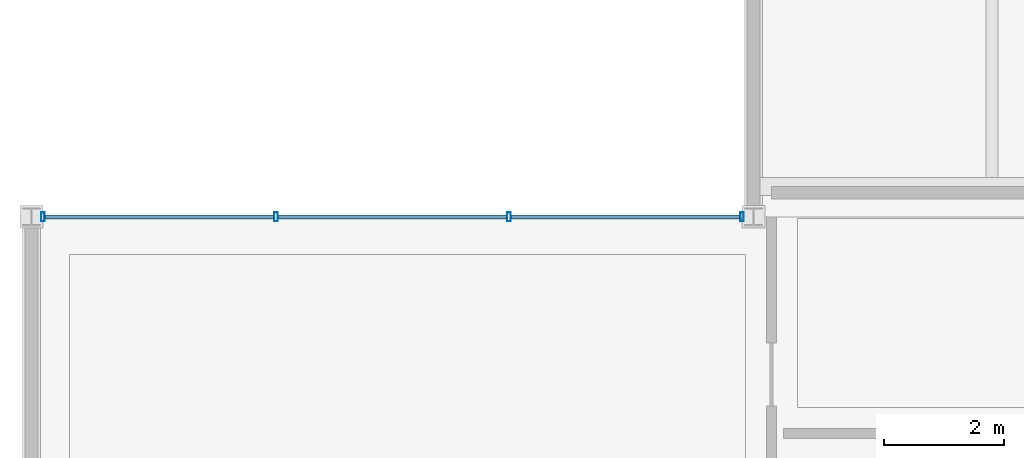
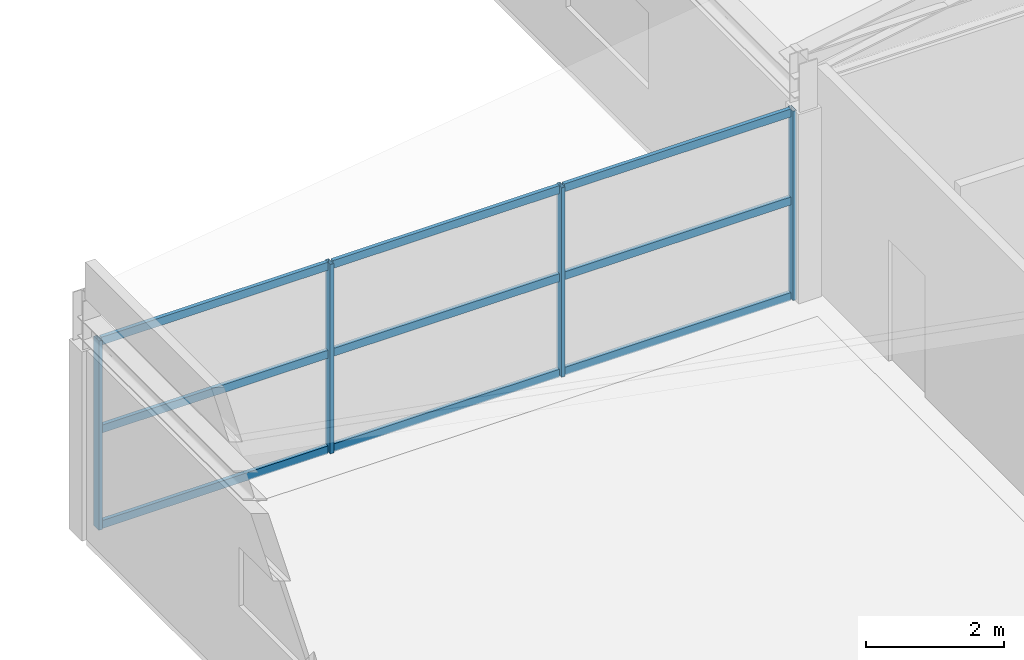
# One storey, part 17 of 63: 13 members, 1 element without a shape of its own.
"""IFC4 building model written with IfcOpenShell, lengths in metres."""

from ifc_helpers import new_model, si_unit, direction, frame, origin, origin_2d, place, context, subcontext, project, spatial, hollow_rectangle, extrude, material, material_profile, profile_set, type_object, element, aggregate, save


model = new_model("IFC4")

# Units and contexts
model_context = context("Model", 3, precision=1e-05, world=origin(), true_north=direction((0.0, 1.0)))
body_context = subcontext(model_context, "Body", "Model", "MODEL_VIEW")
ifc_project = project(units=[si_unit("LENGTHUNIT", "METRE"), si_unit("AREAUNIT", "SQUARE_METRE"), si_unit("VOLUMEUNIT", "CUBIC_METRE"), si_unit("PLANEANGLEUNIT", "RADIAN"), si_unit("MASSUNIT", "GRAM", prefix="KILO")], contexts=[model_context])

# Site, building, storey
site_placement = place(None, origin())
site = spatial("IfcSite", under=ifc_project, at=site_placement, CompositionType="ELEMENT")
building_placement = place(site_placement, origin())
building = spatial("IfcBuilding", under=site, at=building_placement, Name="Tarnveldt Headland Concert Hall", CompositionType="ELEMENT")
storey_placement = place(building_placement, frame((0.0, 0.0, 14.39990234375)))
storey = spatial("IfcBuildingStorey", under=building, at=storey_placement, Name="L03", CompositionType="ELEMENT", Elevation=14.39990234375)

# Curtain wall, members
ifc_material = material(Name="Marine-anodised aluminium EN AW-6063-T6", Category="aluminium")
curtain_wall_type = type_object("IfcCurtainWallType", Name="CW-R3", PredefinedType="NOTDEFINED", material=ifc_material)
curtain_wall_placement = place(storey_placement, origin())
curtain_wall = element("IfcCurtainWall", 1, at=curtain_wall_placement, inside=storey, type_object=curtain_wall_type, Name="Curtain wall CW-L03-184", PredefinedType="NOTDEFINED")
ifc_material_profile_1 = material_profile(ifc_material, hollow_rectangle(XDim=0.06005859375, YDim=0.14990234375, WallThickness=0.00390625, at=origin_2d()), Name="ALU MULLION 60x150x4", Category="aluminium")
ifc_profile_set_1 = profile_set([ifc_material_profile_1], Name="Marine-anodised aluminium EN AW-6063-T6")
member_type_1 = type_object("IfcMemberType", Name="ML-150", PredefinedType="MULLION", material=ifc_profile_set_1)
member_1_placement = place(storey_placement, frame((19.31005859375, 93.0, 0.0), z_axis=(0.0, 0.0, 1.0), x_axis=(1.0, 0.0, 0.0)))
member_1 = element("IfcMember", 2, at=member_1_placement, type_object=member_type_1, Name="Mullion CW-L03-184-1", PredefinedType="MULLION", context=body_context, shape_type="SweptSolid", body=[
    extrude(hollow_rectangle(XDim=0.06005859375, YDim=0.14990234375, WallThickness=0.00390625, at=origin_2d()), origin(), (0.0, 0.0, 1.0), 3.35009765625),
])
member_2_placement = place(storey_placement, frame((15.436767578125, 93.0, 0.0), z_axis=(0.0, 0.0, 1.0), x_axis=(1.0, 0.0, 0.0)))
member_2 = element("IfcMember", 3, at=member_2_placement, type_object=member_type_1, Name="Mullion CW-L03-184-2", PredefinedType="MULLION", context=body_context, shape_type="SweptSolid", body=[
    extrude(hollow_rectangle(XDim=0.06005859375, YDim=0.14990234375, WallThickness=0.00390625, at=origin_2d()), origin(), (0.0, 0.0, 1.0), 3.35009765625),
])
member_3_placement = place(storey_placement, frame((11.563232421875, 93.0, 0.0), z_axis=(0.0, 0.0, 1.0), x_axis=(1.0, 0.0, 0.0)))
member_3 = element("IfcMember", 4, at=member_3_placement, type_object=member_type_1, Name="Mullion CW-L03-184-3", PredefinedType="MULLION", context=body_context, shape_type="SweptSolid", body=[
    extrude(hollow_rectangle(XDim=0.06005859375, YDim=0.14990234375, WallThickness=0.00390625, at=origin_2d()), origin(), (0.0, 0.0, 1.0), 3.35009765625),
])
member_4_placement = place(storey_placement, frame((7.68994140625, 93.0, 0.0), z_axis=(0.0, 0.0, 1.0), x_axis=(1.0, 0.0, 0.0)))
member_4 = element("IfcMember", 5, at=member_4_placement, type_object=member_type_1, Name="Mullion CW-L03-184-4", PredefinedType="MULLION", context=body_context, shape_type="SweptSolid", body=[
    extrude(hollow_rectangle(XDim=0.06005859375, YDim=0.14990234375, WallThickness=0.00390625, at=origin_2d()), origin(), (0.0, 0.0, 1.0), 3.35009765625),
])
ifc_material_profile_2 = material_profile(ifc_material, hollow_rectangle(XDim=0.06494140625, YDim=0.139892578125, WallThickness=0.00390625, at=origin_2d()), Name="ALU TRANSOM 65x140x4", Category="aluminium")
ifc_profile_set_2 = profile_set([ifc_material_profile_2], Name="Marine-anodised aluminium EN AW-6063-T6")
member_type_2 = type_object("IfcMemberType", Name="TR-140", PredefinedType="MEMBER", material=ifc_profile_set_2)
member_5_placement = place(storey_placement, frame((19.26806640625, 93.0, 0.050048828125), z_axis=(-1.0, 0.0, 0.0), x_axis=(0.0, -1.0, 0.0)))
member_5 = element("IfcMember", 6, at=member_5_placement, type_object=member_type_2, Name="Transom CW-L03-184-1-1", PredefinedType="MEMBER", context=body_context, shape_type="SweptSolid", body=[
    extrude(hollow_rectangle(XDim=0.06494140625, YDim=0.139892578125, WallThickness=0.00390625, at=origin_2d()), origin(), (0.0, 0.0, 1.0), 3.789306640625),
])
member_6_placement = place(storey_placement, frame((19.26806640625, 93.0, 1.7421875), z_axis=(-1.0, 0.0, 0.0), x_axis=(0.0, -1.0, 0.0)))
member_6 = element("IfcMember", 7, at=member_6_placement, type_object=member_type_2, Name="Transom CW-L03-184-1-2", PredefinedType="MEMBER", context=body_context, shape_type="SweptSolid", body=[
    extrude(hollow_rectangle(XDim=0.06494140625, YDim=0.139892578125, WallThickness=0.00390625, at=origin_2d()), origin(), (0.0, 0.0, 1.0), 3.789306640625),
])
member_7_placement = place(storey_placement, frame((19.26806640625, 93.0, 3.300048828125), z_axis=(-1.0, 0.0, 0.0), x_axis=(0.0, -1.0, 0.0)))
member_7 = element("IfcMember", 8, at=member_7_placement, type_object=member_type_2, Name="Transom CW-L03-184-1-3", PredefinedType="MEMBER", context=body_context, shape_type="SweptSolid", body=[
    extrude(hollow_rectangle(XDim=0.06494140625, YDim=0.139892578125, WallThickness=0.00390625, at=origin_2d()), origin(), (0.0, 0.0, 1.0), 3.789306640625),
])
member_8_placement = place(storey_placement, frame((15.394775390625, 93.0, 0.050048828125), z_axis=(-1.0, 0.0, 0.0), x_axis=(0.0, -1.0, 0.0)))
member_8 = element("IfcMember", 9, at=member_8_placement, type_object=member_type_2, Name="Transom CW-L03-184-2-1", PredefinedType="MEMBER", context=body_context, shape_type="SweptSolid", body=[
    extrude(hollow_rectangle(XDim=0.06494140625, YDim=0.139892578125, WallThickness=0.00390625, at=origin_2d()), origin(), (0.0, 0.0, 1.0), 3.78955078125),
])
member_9_placement = place(storey_placement, frame((15.394775390625, 93.0, 1.7421875), z_axis=(-1.0, 0.0, 0.0), x_axis=(0.0, -1.0, 0.0)))
member_9 = element("IfcMember", 10, at=member_9_placement, type_object=member_type_2, Name="Transom CW-L03-184-2-2", PredefinedType="MEMBER", context=body_context, shape_type="SweptSolid", body=[
    extrude(hollow_rectangle(XDim=0.06494140625, YDim=0.139892578125, WallThickness=0.00390625, at=origin_2d()), origin(), (0.0, 0.0, 1.0), 3.78955078125),
])
member_10_placement = place(storey_placement, frame((15.394775390625, 93.0, 3.300048828125), z_axis=(-1.0, 0.0, 0.0), x_axis=(0.0, -1.0, 0.0)))
member_10 = element("IfcMember", 11, at=member_10_placement, type_object=member_type_2, Name="Transom CW-L03-184-2-3", PredefinedType="MEMBER", context=body_context, shape_type="SweptSolid", body=[
    extrude(hollow_rectangle(XDim=0.06494140625, YDim=0.139892578125, WallThickness=0.00390625, at=origin_2d()), origin(), (0.0, 0.0, 1.0), 3.78955078125),
])
member_11_placement = place(storey_placement, frame((11.521240234375, 93.0, 0.050048828125), z_axis=(-1.0, 0.0, 0.0), x_axis=(0.0, -1.0, 0.0)))
member_11 = element("IfcMember", 12, at=member_11_placement, type_object=member_type_2, Name="Transom CW-L03-184-3-1", PredefinedType="MEMBER", context=body_context, shape_type="SweptSolid", body=[
    extrude(hollow_rectangle(XDim=0.06494140625, YDim=0.139892578125, WallThickness=0.00390625, at=origin_2d()), origin(), (0.0, 0.0, 1.0), 3.789306640625),
])
member_12_placement = place(storey_placement, frame((11.521240234375, 93.0, 1.7421875), z_axis=(-1.0, 0.0, 0.0), x_axis=(0.0, -1.0, 0.0)))
member_12 = element("IfcMember", 13, at=member_12_placement, type_object=member_type_2, Name="Transom CW-L03-184-3-2", PredefinedType="MEMBER", context=body_context, shape_type="SweptSolid", body=[
    extrude(hollow_rectangle(XDim=0.06494140625, YDim=0.139892578125, WallThickness=0.00390625, at=origin_2d()), origin(), (0.0, 0.0, 1.0), 3.789306640625),
])
member_13_placement = place(storey_placement, frame((11.521240234375, 93.0, 3.300048828125), z_axis=(-1.0, 0.0, 0.0), x_axis=(0.0, -1.0, 0.0)))
member_13 = element("IfcMember", 14, at=member_13_placement, type_object=member_type_2, Name="Transom CW-L03-184-3-3", PredefinedType="MEMBER", context=body_context, shape_type="SweptSolid", body=[
    extrude(hollow_rectangle(XDim=0.06494140625, YDim=0.139892578125, WallThickness=0.00390625, at=origin_2d()), origin(), (0.0, 0.0, 1.0), 3.789306640625),
])
aggregate(curtain_wall, [member_1, member_2, member_3, member_4, member_5, member_6, member_7, member_8, member_9, member_10, member_11, member_12, member_13])

save(model, "model.ifc")
